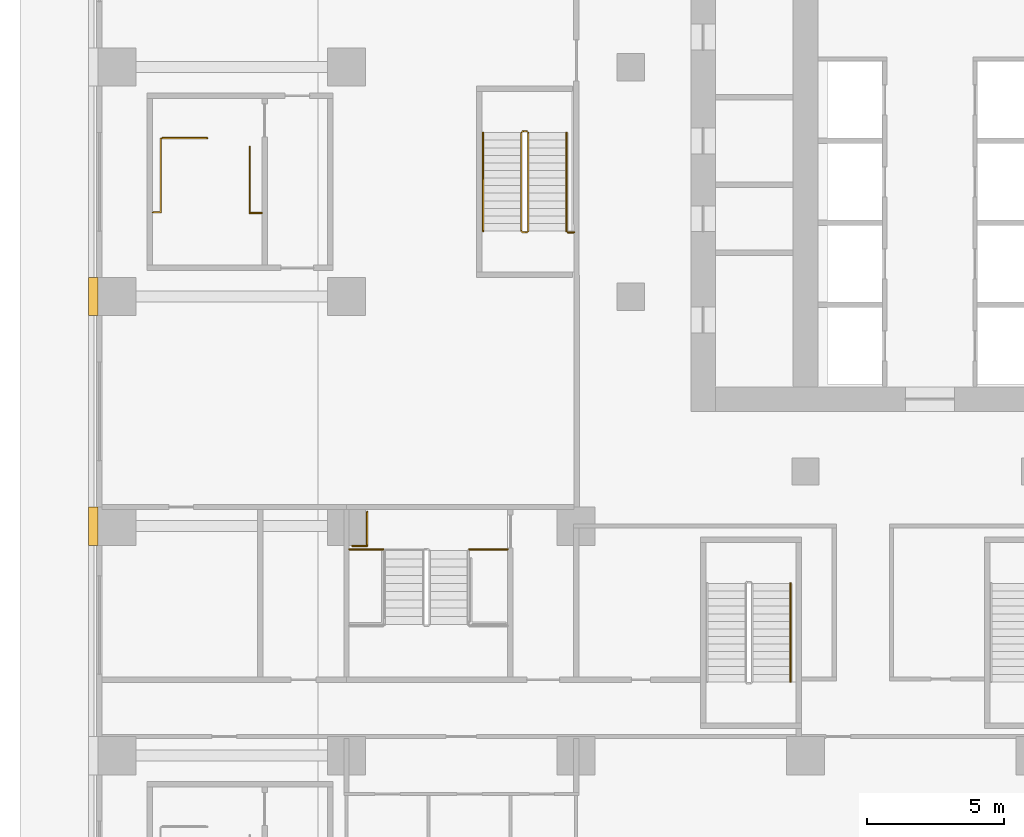
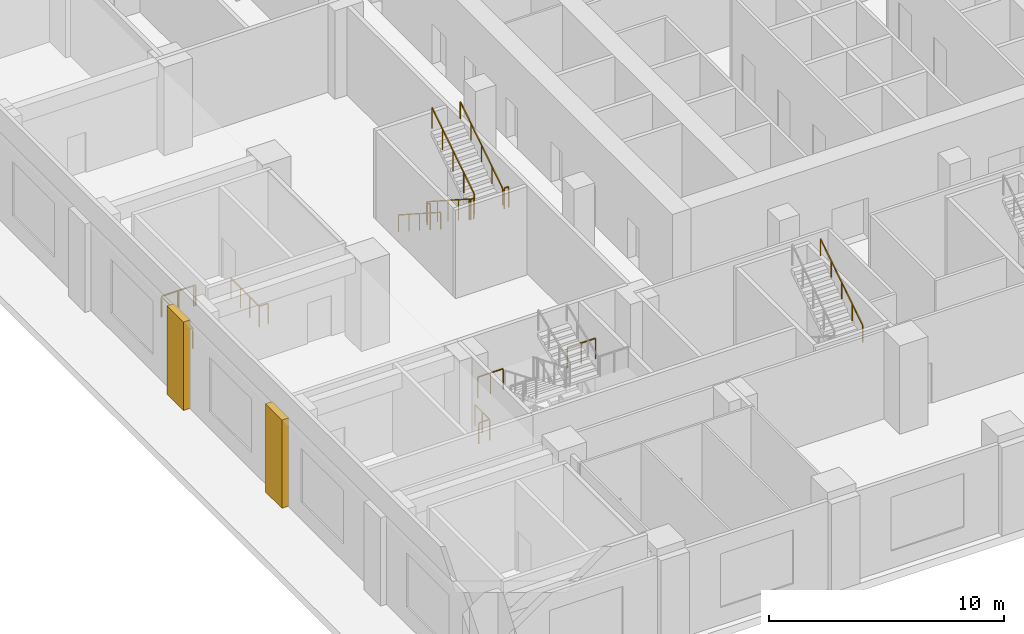
# One storey, part 21 of 29: 11 railings, 2 coverings.
"""IFC4 building model written with IfcOpenShell, lengths in metres."""

from ifc_helpers import new_model, si_unit, direction, frame, origin, origin_2d, place, context, subcontext, project, spatial, polyline, rectangle, outline, extrude, material, type_object, element, save


model = new_model("IFC4")

# Units and contexts
model_context = context("Model", 3, precision=1e-05, world=origin(), true_north=direction((0.0, 1.0)))
body_context = subcontext(model_context, "Body", "Model", "MODEL_VIEW")
ifc_project = project(units=[si_unit("LENGTHUNIT", "METRE"), si_unit("AREAUNIT", "SQUARE_METRE"), si_unit("VOLUMEUNIT", "CUBIC_METRE"), si_unit("PLANEANGLEUNIT", "RADIAN"), si_unit("MASSUNIT", "GRAM", prefix="KILO")], contexts=[model_context])

# Site, building, storey
site_placement = place(None, origin())
site = spatial("IfcSite", under=ifc_project, at=site_placement, CompositionType="ELEMENT")
building_placement = place(site_placement, origin())
building = spatial("IfcBuilding", under=site, at=building_placement, Name="Vermilion Ogive Tower", CompositionType="ELEMENT")
storey_placement = place(building_placement, frame((0.0, 0.0, 7.5)))
storey = spatial("IfcBuildingStorey", under=building, at=storey_placement, Name="L01", CompositionType="ELEMENT", Elevation=7.5)

# Railings
ifc_material_1 = material(Name="Steel S355 painted", Category="steel")
railing_type_1 = type_object("IfcRailingType", Name="Stair guard 1100", PredefinedType="GUARDRAIL", material=ifc_material_1)
railing_1_placement = place(storey_placement, frame((-18.60009765625, 1.85009765625, 0.0)))
element("IfcRailing", 1, at=railing_1_placement, inside=storey, type_object=railing_type_1, Name="L01 ST9 stair guard 4", PredefinedType="GUARDRAIL", context=body_context, shape_type="SweptSolid", body=[
    extrude(rectangle(XDim=0.048095703125, YDim=0.048095703125, at=origin_2d()), frame((0.0, 0.0, 1.076171875), z_axis=(-1.0, 0.0, 0.0), x_axis=(0.0, -1.0, 0.0)), (0.0, 0.0, 1.0), 0.14990234375),
    extrude(rectangle(XDim=0.048095703125, YDim=0.048095703125, at=origin_2d()), frame((-0.14990234375, 0.0, 1.076171875), z_axis=(-0.260684529273, -0.260684529273, 0.929562882432), x_axis=(0.707106781187, -0.707106781187, 0.0)), (0.0, 0.0, 1.0), 0.19189453125),
    extrude(rectangle(XDim=0.048095703125, YDim=0.048095703125, at=origin_2d()), frame((-0.199951171875, -0.050048828125, 1.25439453125), z_axis=(0.0, -0.840414717549, 0.541943818607), x_axis=(1.0, 0.0, 0.0)), (0.0, 0.0, 1.0), 4.28369140625),
    extrude(rectangle(XDim=0.048095703125, YDim=0.048095703125, at=origin_2d()), frame((-0.199951171875, -3.650146484375, 3.576171875), z_axis=(0.707106781187, -0.707106781187, 0.0), x_axis=(0.707106781187, 0.707106781187, 0.0)), (0.0, 0.0, 1.0), 0.07080078125),
    extrude(rectangle(XDim=0.048095703125, YDim=0.048095703125, at=origin_2d()), frame((-0.14990234375, -3.7001953125, 3.576171875), z_axis=(1.0, 0.0, 0.0), x_axis=(0.0, 1.0, 0.0)), (0.0, 0.0, 1.0), 0.14990234375),
    extrude(rectangle(XDim=0.048095703125, YDim=0.048095703125, at=origin_2d()), frame((0.0, -3.7001953125, 3.576171875), z_axis=(0.260684529273, 0.260684529273, 0.929562882432), x_axis=(-0.707106781187, 0.707106781187, 0.0)), (0.0, 0.0, 1.0), 0.19189453125),
    extrude(rectangle(XDim=0.048095703125, YDim=0.048095703125, at=origin_2d()), frame((0.050048828125, -3.650146484375, 3.75439453125), z_axis=(0.0, 0.840414717549, 0.541943818607), x_axis=(-1.0, 0.0, 0.0)), (0.0, 0.0, 1.0), 4.28369140625),
    extrude(rectangle(XDim=0.0419921875, YDim=0.0419921875, at=origin_2d()), origin(), (0.0, 0.0, 1.0), 1.052001953125),
    extrude(rectangle(XDim=0.0419921875, YDim=0.0419921875, at=origin_2d()), frame((-0.14990234375, 0.0, 0.0)), (0.0, 0.0, 1.0), 1.052001953125),
    extrude(rectangle(XDim=0.0419921875, YDim=0.0419921875, at=origin_2d()), frame((-0.199951171875, -0.050048828125, 0.178466796875)), (0.0, 0.0, 1.0), 1.052001953125),
    extrude(rectangle(XDim=0.0419921875, YDim=0.0419921875, at=origin_2d()), frame((-0.199951171875, -0.9501953125, 0.7587890625)), (0.0, 0.0, 1.0), 1.052001953125),
    extrude(rectangle(XDim=0.0419921875, YDim=0.0419921875, at=origin_2d()), frame((-0.199951171875, -1.85009765625, 1.33935546875)), (0.0, 0.0, 1.0), 1.052001953125),
    extrude(rectangle(XDim=0.0419921875, YDim=0.0419921875, at=origin_2d()), frame((-0.199951171875, -2.75, 1.919677734375)), (0.0, 0.0, 1.0), 1.052001953125),
    extrude(rectangle(XDim=0.0419921875, YDim=0.0419921875, at=origin_2d()), frame((-0.199951171875, -3.650146484375, 2.5)), (0.0, 0.0, 1.0), 1.052001953125),
    extrude(rectangle(XDim=0.0419921875, YDim=0.0419921875, at=origin_2d()), frame((-0.14990234375, -3.7001953125, 2.5)), (0.0, 0.0, 1.0), 1.052001953125),
    extrude(rectangle(XDim=0.0419921875, YDim=0.0419921875, at=origin_2d()), frame((0.0, -3.7001953125, 2.5)), (0.0, 0.0, 1.0), 1.052001953125),
    extrude(rectangle(XDim=0.0419921875, YDim=0.0419921875, at=origin_2d()), frame((0.050048828125, -3.650146484375, 2.678466796875)), (0.0, 0.0, 1.0), 1.052001953125),
    extrude(rectangle(XDim=0.0419921875, YDim=0.0419921875, at=origin_2d()), frame((0.050048828125, -2.75, 3.2587890625)), (0.0, 0.0, 1.0), 1.052001953125),
    extrude(rectangle(XDim=0.0419921875, YDim=0.0419921875, at=origin_2d()), frame((0.050048828125, -1.85009765625, 3.83935546875)), (0.0, 0.0, 1.0), 1.052001953125),
    extrude(rectangle(XDim=0.0419921875, YDim=0.0419921875, at=origin_2d()), frame((0.050048828125, -0.9501953125, 4.419677734375)), (0.0, 0.0, 1.0), 1.052001953125),
    extrude(rectangle(XDim=0.0419921875, YDim=0.0419921875, at=origin_2d()), frame((0.050048828125, -0.050048828125, 5.0)), (0.0, 0.0, 1.0), 1.052001953125),
])
railing_2_placement = place(storey_placement, frame((-31.949951171875, 1.60009765625, 0.0)))
element("IfcRailing", 2, at=railing_2_placement, inside=storey, type_object=railing_type_1, Name="L01 PWC top well guard 1", PredefinedType="GUARDRAIL", context=body_context, shape_type="SweptSolid", body=[
    extrude(rectangle(XDim=0.048095703125, YDim=0.048095703125, at=origin_2d()), frame((0.0, 0.0, 1.076171875), z_axis=(1.0, 0.0, 0.0), x_axis=(0.0, 1.0, 0.0)), (0.0, 0.0, 1.0), 1.64990234375),
    extrude(rectangle(XDim=0.0419921875, YDim=0.0419921875, at=origin_2d()), origin(), (0.0, 0.0, 1.0), 1.052001953125),
    extrude(rectangle(XDim=0.0419921875, YDim=0.0419921875, at=origin_2d()), frame((0.824951171875, 0.0, 0.0)), (0.0, 0.0, 1.0), 1.052001953125),
    extrude(rectangle(XDim=0.0419921875, YDim=0.0419921875, at=origin_2d()), frame((1.64990234375, 0.0, 0.0)), (0.0, 0.0, 1.0), 1.052001953125),
])
railing_3_placement = place(storey_placement, frame((-17.10009765625, -1.85009765625, 2.5)))
element("IfcRailing", 3, at=railing_3_placement, inside=storey, type_object=railing_type_1, Name="L01 landing guard", PredefinedType="GUARDRAIL", context=body_context, shape_type="SweptSolid", body=[
    extrude(rectangle(XDim=0.048095703125, YDim=0.048095703125, at=origin_2d()), frame((0.0, 0.0, 1.076171875), z_axis=(1.0, 0.0, 0.0), x_axis=(0.0, 1.0, 0.0)), (0.0, 0.0, 1.0), 0.22509765625),
    extrude(rectangle(XDim=0.0419921875, YDim=0.0419921875, at=origin_2d()), origin(), (0.0, 0.0, 1.0), 1.052001953125),
    extrude(rectangle(XDim=0.0419921875, YDim=0.0419921875, at=origin_2d()), frame((0.22509765625, 0.0, 0.0)), (0.0, 0.0, 1.0), 1.052001953125),
])
railing_4_placement = place(storey_placement, frame((-25.099853515625, -13.449951171875, 2.5)))
element("IfcRailing", 4, at=railing_4_placement, inside=storey, type_object=railing_type_1, Name="L01 landing guard", PredefinedType="GUARDRAIL", context=body_context, shape_type="SweptSolid", body=[
    extrude(rectangle(XDim=0.048095703125, YDim=0.048095703125, at=origin_2d()), frame((0.0, 0.0, 1.076171875), z_axis=(1.0, 0.0, 0.0), x_axis=(0.0, 1.0, 0.0)), (0.0, 0.0, 1.0), 1.249755859375),
    extrude(rectangle(XDim=0.0419921875, YDim=0.0419921875, at=origin_2d()), origin(), (0.0, 0.0, 1.0), 1.052001953125),
    extrude(rectangle(XDim=0.0419921875, YDim=0.0419921875, at=origin_2d()), frame((0.625, 0.0, 0.0)), (0.0, 0.0, 1.0), 1.052001953125),
    extrude(rectangle(XDim=0.0419921875, YDim=0.0419921875, at=origin_2d()), frame((1.249755859375, 0.0, 0.0)), (0.0, 0.0, 1.0), 1.052001953125),
])
railing_5_placement = place(storey_placement, frame((-20.699951171875, -13.449951171875, 2.5)))
element("IfcRailing", 5, at=railing_5_placement, inside=storey, type_object=railing_type_1, Name="L01 landing guard", PredefinedType="GUARDRAIL", context=body_context, shape_type="SweptSolid", body=[
    extrude(rectangle(XDim=0.048095703125, YDim=0.048095703125, at=origin_2d()), frame((0.0, 0.0, 1.076171875), z_axis=(1.0, 0.0, 0.0), x_axis=(0.0, 1.0, 0.0)), (0.0, 0.0, 1.0), 1.39990234375),
    extrude(rectangle(XDim=0.0419921875, YDim=0.0419921875, at=origin_2d()), origin(), (0.0, 0.0, 1.0), 1.052001953125),
    extrude(rectangle(XDim=0.0419921875, YDim=0.0419921875, at=origin_2d()), frame((0.699951171875, 0.0, 0.0)), (0.0, 0.0, 1.0), 1.052001953125),
    extrude(rectangle(XDim=0.0419921875, YDim=0.0419921875, at=origin_2d()), frame((1.39990234375, 0.0, 0.0)), (0.0, 0.0, 1.0), 1.052001953125),
])
railing_6_placement = place(storey_placement, frame((-28.740966796875, 1.284912109375, 0.0)))
element("IfcRailing", 6, at=railing_6_placement, inside=storey, type_object=railing_type_1, Name="L01 stair opening guard", PredefinedType="GUARDRAIL", context=body_context, shape_type="SweptSolid", body=[
    extrude(rectangle(XDim=0.048095703125, YDim=0.048095703125, at=origin_2d()), frame((0.0, 0.0, 1.076171875), z_axis=(0.0, -1.0, 0.0), x_axis=(1.0, 0.0, 0.0)), (0.0, 0.0, 1.0), 2.42431640625),
    extrude(rectangle(XDim=0.048095703125, YDim=0.048095703125, at=origin_2d()), frame((0.0, -2.42431640625, 1.076171875), z_axis=(1.0, 0.0, 0.0), x_axis=(0.0, 1.0, 0.0)), (0.0, 0.0, 1.0), 0.440185546875),
    extrude(rectangle(XDim=0.0419921875, YDim=0.0419921875, at=origin_2d()), origin(), (0.0, 0.0, 1.0), 1.052001953125),
    extrude(rectangle(XDim=0.0419921875, YDim=0.0419921875, at=origin_2d()), frame((0.0, -0.80810546875, 0.0)), (0.0, 0.0, 1.0), 1.052001953125),
    extrude(rectangle(XDim=0.0419921875, YDim=0.0419921875, at=origin_2d()), frame((0.0, -1.6162109375, 0.0)), (0.0, 0.0, 1.0), 1.052001953125),
    extrude(rectangle(XDim=0.0419921875, YDim=0.0419921875, at=origin_2d()), frame((0.0, -2.42431640625, 0.0)), (0.0, 0.0, 1.0), 1.052001953125),
    extrude(rectangle(XDim=0.0419921875, YDim=0.0419921875, at=origin_2d()), frame((0.440185546875, -2.42431640625, 0.0)), (0.0, 0.0, 1.0), 1.052001953125),
])
railing_7_placement = place(storey_placement, frame((-32.2890625, -1.115478515625, 0.0)))
element("IfcRailing", 7, at=railing_7_placement, inside=storey, type_object=railing_type_1, Name="L01 stair opening guard", PredefinedType="GUARDRAIL", context=body_context, shape_type="SweptSolid", body=[
    extrude(rectangle(XDim=0.048095703125, YDim=0.048095703125, at=origin_2d()), frame((0.0, 0.0, 1.076171875), z_axis=(1.0, 0.0, 0.0), x_axis=(0.0, 1.0, 0.0)), (0.0, 0.0, 1.0), 0.2900390625),
    extrude(rectangle(XDim=0.048095703125, YDim=0.048095703125, at=origin_2d()), frame((0.2900390625, 0.0, 1.076171875), z_axis=(0.0, 1.0, 0.0), x_axis=(-1.0, 0.0, 0.0)), (0.0, 0.0, 1.0), 2.699951171875),
    extrude(rectangle(XDim=0.048095703125, YDim=0.048095703125, at=origin_2d()), frame((0.2900390625, 2.699951171875, 1.076171875), z_axis=(1.0, 0.0, 0.0), x_axis=(0.0, 1.0, 0.0)), (0.0, 0.0, 1.0), 1.599853515625),
    extrude(rectangle(XDim=0.0419921875, YDim=0.0419921875, at=origin_2d()), origin(), (0.0, 0.0, 1.0), 1.052001953125),
    extrude(rectangle(XDim=0.0419921875, YDim=0.0419921875, at=origin_2d()), frame((0.2900390625, 0.0, 0.0)), (0.0, 0.0, 1.0), 1.052001953125),
    extrude(rectangle(XDim=0.0419921875, YDim=0.0419921875, at=origin_2d()), frame((0.2900390625, 0.89990234375, 0.0)), (0.0, 0.0, 1.0), 1.052001953125),
    extrude(rectangle(XDim=0.0419921875, YDim=0.0419921875, at=origin_2d()), frame((0.2900390625, 1.800048828125, 0.0)), (0.0, 0.0, 1.0), 1.052001953125),
    extrude(rectangle(XDim=0.0419921875, YDim=0.0419921875, at=origin_2d()), frame((0.2900390625, 2.699951171875, 0.0)), (0.0, 0.0, 1.0), 1.052001953125),
    extrude(rectangle(XDim=0.0419921875, YDim=0.0419921875, at=origin_2d()), frame((1.08984375, 2.699951171875, 0.0)), (0.0, 0.0, 1.0), 1.052001953125),
    extrude(rectangle(XDim=0.0419921875, YDim=0.0419921875, at=origin_2d()), frame((1.889892578125, 2.699951171875, 0.0)), (0.0, 0.0, 1.0), 1.052001953125),
])
railing_8_placement = place(storey_placement, frame((-24.98486328125, -13.323974609375, 0.0)))
element("IfcRailing", 8, at=railing_8_placement, inside=storey, type_object=railing_type_1, Name="L01 stair opening guard", PredefinedType="GUARDRAIL", context=body_context, shape_type="SweptSolid", body=[
    extrude(rectangle(XDim=0.048095703125, YDim=0.048095703125, at=origin_2d()), frame((0.0, 0.0, 1.076171875), z_axis=(1.0, 0.0, 0.0), x_axis=(0.0, 1.0, 0.0)), (0.0, 0.0, 1.0), 0.539794921875),
    extrude(rectangle(XDim=0.048095703125, YDim=0.048095703125, at=origin_2d()), frame((0.539794921875, 0.0, 1.076171875), z_axis=(0.0, 1.0, 0.0), x_axis=(-1.0, 0.0, 0.0)), (0.0, 0.0, 1.0), 1.239990234375),
    extrude(rectangle(XDim=0.0419921875, YDim=0.0419921875, at=origin_2d()), origin(), (0.0, 0.0, 1.0), 1.052001953125),
    extrude(rectangle(XDim=0.0419921875, YDim=0.0419921875, at=origin_2d()), frame((0.539794921875, 0.0, 0.0)), (0.0, 0.0, 1.0), 1.052001953125),
    extrude(rectangle(XDim=0.0419921875, YDim=0.0419921875, at=origin_2d()), frame((0.539794921875, 0.6201171875, 0.0)), (0.0, 0.0, 1.0), 1.052001953125),
    extrude(rectangle(XDim=0.0419921875, YDim=0.0419921875, at=origin_2d()), frame((0.539794921875, 1.239990234375, 0.0)), (0.0, 0.0, 1.0), 1.052001953125),
])
ifc_material_2 = material(Name="Stainless steel", Category="steel")
railing_type_2 = type_object("IfcRailingType", Name="Stair handrail 900", PredefinedType="HANDRAIL", material=ifc_material_2)
railing_9_placement = place(storey_placement, frame((-8.949951171875, -18.300048828125, 2.678466796875)))
element("IfcRailing", 9, at=railing_9_placement, inside=storey, type_object=railing_type_2, Name="L01 ST3 stair handrail 2", PredefinedType="HANDRAIL", context=body_context, shape_type="SweptSolid", body=[
    extrude(rectangle(XDim=0.048095703125, YDim=0.048095703125, at=origin_2d()), frame((0.0, 0.0, 0.8759765625), z_axis=(0.0, 0.840414717549, 0.541943818607), x_axis=(-1.0, 0.0, 0.0)), (0.0, 0.0, 1.0), 4.28369140625),
    extrude(rectangle(XDim=0.0419921875, YDim=0.0419921875, at=origin_2d()), origin(), (0.0, 0.0, 1.0), 0.851806640625),
    extrude(rectangle(XDim=0.0419921875, YDim=0.0419921875, at=origin_2d()), frame((0.0, 0.89990234375, 0.580322265625)), (0.0, 0.0, 1.0), 0.851806640625),
    extrude(rectangle(XDim=0.0419921875, YDim=0.0419921875, at=origin_2d()), frame((0.0, 1.800048828125, 1.16064453125)), (0.0, 0.0, 1.0), 0.851806640625),
    extrude(rectangle(XDim=0.0419921875, YDim=0.0419921875, at=origin_2d()), frame((0.0, 2.7001953125, 1.7412109375)), (0.0, 0.0, 1.0), 0.851806640625),
    extrude(rectangle(XDim=0.0419921875, YDim=0.0419921875, at=origin_2d()), frame((0.0, 3.60009765625, 2.321533203125)), (0.0, 0.0, 1.0), 0.851806640625),
])
railing_10_placement = place(storey_placement, frame((-20.199951171875, 1.800048828125, 0.178466796875)))
element("IfcRailing", 10, at=railing_10_placement, inside=storey, type_object=railing_type_2, Name="L01 ST9 stair handrail 1", PredefinedType="HANDRAIL", context=body_context, shape_type="SweptSolid", body=[
    extrude(rectangle(XDim=0.048095703125, YDim=0.048095703125, at=origin_2d()), frame((0.0, 0.0, 0.8759765625), z_axis=(0.0, -0.840414717549, 0.541943818607), x_axis=(1.0, 0.0, 0.0)), (0.0, 0.0, 1.0), 4.28369140625),
    extrude(rectangle(XDim=0.0419921875, YDim=0.0419921875, at=origin_2d()), origin(), (0.0, 0.0, 1.0), 0.851806640625),
    extrude(rectangle(XDim=0.0419921875, YDim=0.0419921875, at=origin_2d()), frame((0.0, -0.89990234375, 0.580322265625)), (0.0, 0.0, 1.0), 0.851806640625),
    extrude(rectangle(XDim=0.0419921875, YDim=0.0419921875, at=origin_2d()), frame((0.0, -1.800048828125, 1.16064453125)), (0.0, 0.0, 1.0), 0.851806640625),
    extrude(rectangle(XDim=0.0419921875, YDim=0.0419921875, at=origin_2d()), frame((0.0, -2.7001953125, 1.7412109375)), (0.0, 0.0, 1.0), 0.851806640625),
    extrude(rectangle(XDim=0.0419921875, YDim=0.0419921875, at=origin_2d()), frame((0.0, -3.60009765625, 2.321533203125)), (0.0, 0.0, 1.0), 0.851806640625),
])
railing_11_placement = place(storey_placement, frame((-17.14990234375, -1.800048828125, 2.678466796875)))
element("IfcRailing", 11, at=railing_11_placement, inside=storey, type_object=railing_type_2, Name="L01 ST9 stair handrail 2", PredefinedType="HANDRAIL", context=body_context, shape_type="SweptSolid", body=[
    extrude(rectangle(XDim=0.048095703125, YDim=0.048095703125, at=origin_2d()), frame((0.0, 0.0, 0.8759765625), z_axis=(0.0, 0.840414717549, 0.541943818607), x_axis=(-1.0, 0.0, 0.0)), (0.0, 0.0, 1.0), 4.28369140625),
    extrude(rectangle(XDim=0.0419921875, YDim=0.0419921875, at=origin_2d()), origin(), (0.0, 0.0, 1.0), 0.851806640625),
    extrude(rectangle(XDim=0.0419921875, YDim=0.0419921875, at=origin_2d()), frame((0.0, 0.89990234375, 0.580322265625)), (0.0, 0.0, 1.0), 0.851806640625),
    extrude(rectangle(XDim=0.0419921875, YDim=0.0419921875, at=origin_2d()), frame((0.0, 1.800048828125, 1.16064453125)), (0.0, 0.0, 1.0), 0.851806640625),
    extrude(rectangle(XDim=0.0419921875, YDim=0.0419921875, at=origin_2d()), frame((0.0, 2.7001953125, 1.7412109375)), (0.0, 0.0, 1.0), 0.851806640625),
    extrude(rectangle(XDim=0.0419921875, YDim=0.0419921875, at=origin_2d()), frame((0.0, 3.60009765625, 2.321533203125)), (0.0, 0.0, 1.0), 0.851806640625),
])

# Coverings
ifc_material_3 = material(Name="Stone cladding", Category="masonry")
covering_type = type_object("IfcCoveringType", Name="Stone pier", PredefinedType="CLADDING", material=ifc_material_3)
covering_1_placement = place(storey_placement, origin())
element("IfcCovering", 12, at=covering_1_placement, inside=storey, type_object=covering_type, Name="Stone pier P-336-042", PredefinedType="CLADDING", context=body_context, shape_type="SweptSolid", body=[
    extrude(outline(polyline([(-34.300048828125, -4.89990234375), (-34.64990234375, -4.89990234375), (-34.64990234375, -3.5), (-34.300048828125, -3.5), (-34.300048828125, -4.89990234375), (-34.300048828125, -4.89990234375)])), origin(), (0.0, 0.0, 1.0), 4.60009765625),
])
covering_2_placement = place(storey_placement, origin())
element("IfcCovering", 13, at=covering_2_placement, inside=storey, type_object=covering_type, Name="Stone pier P-336-126", PredefinedType="CLADDING", context=body_context, shape_type="SweptSolid", body=[
    extrude(outline(polyline([(-34.300048828125, -13.300048828125), (-34.300048828125, -13.300048828125), (-34.64990234375, -13.300048828125), (-34.64990234375, -11.89990234375), (-34.300048828125, -11.89990234375), (-34.300048828125, -11.89990234375), (-34.300048828125, -13.300048828125)])), origin(), (0.0, 0.0, 1.0), 4.60009765625),
])

save(model, "model.ifc")
